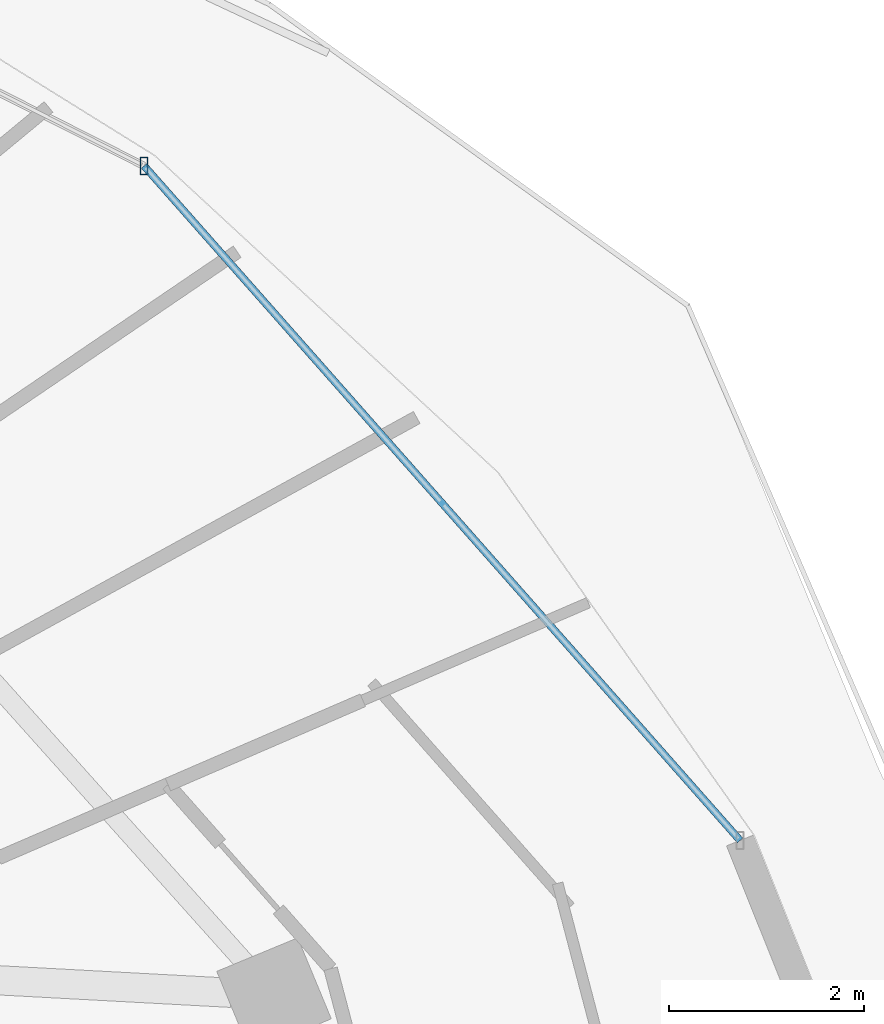
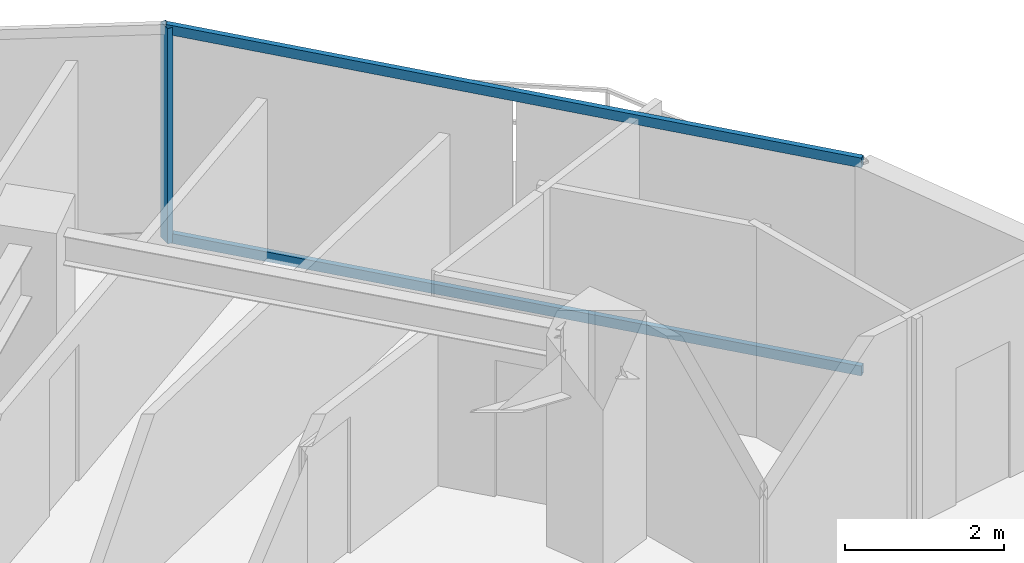
# One storey, part 21 of 33: 3 members, 1 element without a shape of its own.
"""IFC4 building model written with IfcOpenShell, lengths in metres."""

import ifcopenshell
import ifcopenshell.guid

model = None  # the IFC model being written
_history = None  # IfcOwnerHistory: only IFC2X3 demands one
_inside = {}  # id of a spatial element -> (the spatial element, [elements in it])
_under = {}  # id of a project, library or spatial element -> (it, [spatial elements below it])
_declared = {}  # id of a project -> (the project, [libraries it declares])
_typed = {}  # id of a type object -> (the type object, [elements of that type])
_made_of = {}  # id of a material, layer set ... -> (it, [elements and type objects made of it])


def new_model(schema):
    """Start an empty IFC model of exactly this schema.

    Asked for "IFC4X3", IfcOpenShell would pick the latest addendum, in which some entities
    have other attributes; the version numbers below select the first issue.
    IFC2X3 requires an IfcOwnerHistory on every rooted entity: one is made here for all.
    """
    global model, _history
    if schema == "IFC4X3":
        model = ifcopenshell.file(schema_version=(4, 3, 0, 0))
    else:
        model = ifcopenshell.file(schema=schema)
    _inside.clear()
    _under.clear()
    _declared.clear()
    _typed.clear()
    _made_of.clear()
    _history = None
    if model.schema == "IFC2X3":
        org = make("IfcOrganization", Name="unknown")
        user = make(
            "IfcPersonAndOrganization",
            ThePerson=make("IfcPerson", FamilyName="unknown"),
            TheOrganization=org,
        )
        app = make(
            "IfcApplication",
            ApplicationDeveloper=org,
            Version="unknown",
            ApplicationFullName="unknown",
            ApplicationIdentifier="unknown",
        )
        _history = make(
            "IfcOwnerHistory",
            OwningUser=user,
            OwningApplication=app,
            ChangeAction="ADDED",
            CreationDate=0,
        )
    return model


def make(cls, **values):
    """One entity of the class cls with the attributes given. An attribute that is None is left unset."""
    return model.create_entity(
        cls, **{name: value for name, value in values.items() if value is not None}
    )


def rooted(cls, **values):
    """An entity with a GlobalId (a new one), such as an element, a storey or a relation."""
    return make(cls, GlobalId=ifcopenshell.guid.new(), OwnerHistory=_history, **values)


def si_unit(unit_type, name, prefix=None):
    """IfcSIUnit, for example si_unit("LENGTHUNIT", "METRE", prefix="MILLI")."""
    return make("IfcSIUnit", UnitType=unit_type, Prefix=prefix, Name=name)


def assignment(units):
    """IfcUnitAssignment: the units of a project."""
    return None if units is None else make("IfcUnitAssignment", Units=units)


def point(xyz):
    """IfcCartesianPoint."""
    return None if xyz is None else make("IfcCartesianPoint", Coordinates=xyz)


def direction(xyz):
    """IfcDirection."""
    return None if xyz is None else make("IfcDirection", DirectionRatios=xyz)


def frame(location, z_axis=None, x_axis=None):
    """IfcAxis2Placement3D, a coordinate frame: its origin and axes. An axis left out is left unset."""
    return make(
        "IfcAxis2Placement3D",
        Location=point(location),
        Axis=direction(z_axis),
        RefDirection=direction(x_axis),
    )


def frame_2d(location, x_axis=None):
    """IfcAxis2Placement2D, a coordinate frame in the plane: its origin and x axis."""
    return make(
        "IfcAxis2Placement2D", Location=point(location), RefDirection=direction(x_axis)
    )


def origin():
    """The frame at (0, 0, 0) with its axes left unset."""
    return frame((0.0, 0.0, 0.0))


def origin_2d():
    """The frame at (0, 0) in the plane with its x axis left unset."""
    return frame_2d((0.0, 0.0))


def place(relative_to, where):
    """IfcLocalPlacement: puts the frame where relative to a parent placement (None: the world)."""
    return make(
        "IfcLocalPlacement", PlacementRelTo=relative_to, RelativePlacement=where
    )


def context(
    kind, dimensions, precision=None, world=None, true_north=None, identifier=None
):
    """IfcGeometricRepresentationContext, for example the 3D "Model" context."""
    return make(
        "IfcGeometricRepresentationContext",
        ContextIdentifier=identifier,
        ContextType=kind,
        CoordinateSpaceDimension=dimensions,
        Precision=precision,
        WorldCoordinateSystem=world,
        TrueNorth=true_north,
    )


def subcontext(parent, identifier, kind, view, scale=None):
    """IfcGeometricRepresentationSubContext, for example "Body" below "Model"."""
    return make(
        "IfcGeometricRepresentationSubContext",
        ContextIdentifier=identifier,
        ContextType=kind,
        ParentContext=parent,
        TargetScale=scale,
        TargetView=view,
    )


def project(units=None, contexts=None):
    """IfcProject with its units and contexts."""
    return rooted(
        "IfcProject",
        Name="project",
        RepresentationContexts=contexts,
        UnitsInContext=assignment(units),
    )


def spatial(cls, under=None, at=None, **own):
    """A site, building, storey or space (cls), placed at a placement, below another one or the project."""
    s = rooted(cls, ObjectPlacement=at, **own)
    if under is not None:
        _under.setdefault(under.id(), (under, []))[1].append(s)
    return s


def profile(cls, at=None, kind="AREA", **sizes):
    """A parametric profile (cls). Its sizes go by their IFC names, for example OverallWidth=200.0."""
    return make(cls, ProfileType=kind, Position=at, **sizes)


def hollow_rectangle(**sizes):
    """IfcRectangleHollowProfileDef."""
    return profile("IfcRectangleHollowProfileDef", **sizes)


def extrude(swept, where, along, depth):
    """IfcExtrudedAreaSolid: the profile swept, set in the frame where, extruded along a direction by depth."""
    return make(
        "IfcExtrudedAreaSolid",
        SweptArea=swept,
        Position=where,
        ExtrudedDirection=direction(along),
        Depth=depth,
    )


def shape(context_of_items, identifier, shape_type, items):
    """IfcShapeRepresentation: the items that make up one representation, for example the "Body"."""
    return make(
        "IfcShapeRepresentation",
        ContextOfItems=context_of_items,
        RepresentationIdentifier=identifier,
        RepresentationType=shape_type,
        Items=items,
    )


def material(Name=None, Category=None):
    """IfcMaterial."""
    return make("IfcMaterial", Name=Name, Category=Category)


def material_profile(
    of_material, cross_section, Name=None, Category=None, Priority=None
):
    """IfcMaterialProfile: a cross section and its material."""
    return make(
        "IfcMaterialProfile",
        Name=Name,
        Material=of_material,
        Profile=cross_section,
        Priority=Priority,
        Category=Category,
    )


def profile_set(profiles, Name=None, composite=None):
    """IfcMaterialProfileSet."""
    return make(
        "IfcMaterialProfileSet",
        Name=Name,
        MaterialProfiles=profiles,
        CompositeProfile=composite,
    )


def made_of(thing, what):
    """Note that an element or type object is made of a material, layer set ...; save() writes the relation."""
    if what is not None:
        _made_of.setdefault(what.id(), (what, []))[1].append(thing)
    return thing


def type_object(cls, material=None, **own):
    """A type object (cls), such as IfcWallType, which elements share."""
    return made_of(rooted(cls, **own), material)


def element(
    cls,
    number,
    at=None,
    inside=None,
    cuts=None,
    type_object=None,
    material=None,
    context=None,
    identifier="Body",
    shape_type=None,
    held_by="IfcProductDefinitionShape",
    body=None,
    shapes=None,
    **own,
):
    """One element of the class cls, such as IfcWall. Its Tag is "e" and its number.

    at: its placement. inside: the storey or other place that contains it. cuts: it is an
    opening in that element (IfcRelVoidsElement). A single representation is given by context,
    identifier, shape_type and body (its items); several are given by shapes. held_by: the class
    of the entity that holds the representations. save() writes the other relations.
    """
    e = rooted(cls, Tag="e%d" % number, ObjectPlacement=at, **own)
    if body is not None:
        shapes = [shape(context, identifier, shape_type, body)]
    if shapes is not None:
        e.Representation = make(held_by, Representations=shapes)
    if inside is not None:
        _inside.setdefault(inside.id(), (inside, []))[1].append(e)
    if cuts is not None:
        rooted(
            "IfcRelVoidsElement", RelatingBuildingElement=cuts, RelatedOpeningElement=e
        )
    if type_object is not None:
        _typed.setdefault(type_object.id(), (type_object, []))[1].append(e)
    return made_of(e, material)


def aggregate(whole, parts):
    """IfcRelAggregates: a whole, such as a stair, and the parts it consists of."""
    return rooted("IfcRelAggregates", RelatingObject=whole, RelatedObjects=parts)


def save(model, path):
    """Write the relations noted so far, then the file.

    IfcRelAggregates (storeys below a building ...), IfcRelContainedInSpatialStructure (elements
    in a storey), IfcRelDefinesByType, IfcRelAssociatesMaterial and IfcRelDeclares: one each for
    every whole, place, type object, material and project.
    """
    for whole, parts in _under.values():
        aggregate(whole, parts)
    for where, things in _inside.values():
        rooted(
            "IfcRelContainedInSpatialStructure",
            RelatedElements=things,
            RelatingStructure=where,
        )
    for kind, things in _typed.values():
        rooted("IfcRelDefinesByType", RelatedObjects=things, RelatingType=kind)
    for what, things in _made_of.values():
        rooted("IfcRelAssociatesMaterial", RelatedObjects=things, RelatingMaterial=what)
    for by, libraries in _declared.values():
        rooted("IfcRelDeclares", RelatingContext=by, RelatedDefinitions=libraries)
    model.write(path)


model = new_model("IFC4")

# Units and contexts
model_context = context("Model", 3, precision=1e-05, world=origin(), true_north=direction((0.0, 1.0)))
body_context = subcontext(model_context, "Body", "Model", "MODEL_VIEW")
ifc_project = project(units=[si_unit("LENGTHUNIT", "METRE"), si_unit("AREAUNIT", "SQUARE_METRE"), si_unit("VOLUMEUNIT", "CUBIC_METRE"), si_unit("PLANEANGLEUNIT", "RADIAN"), si_unit("MASSUNIT", "GRAM", prefix="KILO")], contexts=[model_context])

# Site, building, storey
site_placement = place(None, origin())
site = spatial("IfcSite", under=ifc_project, at=site_placement, CompositionType="ELEMENT")
building_placement = place(site_placement, origin())
building = spatial("IfcBuilding", under=site, at=building_placement, Name="Vorneva Point Tower", CompositionType="ELEMENT")
storey_placement = place(building_placement, frame((0.0, 0.0, 179.10009765625)))
storey = spatial("IfcBuildingStorey", under=building, at=storey_placement, Name="L48", CompositionType="ELEMENT", Elevation=179.10009765625)

# Curtain wall, members
ifc_material = material(Name="Pale anodised aluminium", Category="aluminium")
curtain_wall_type = type_object("IfcCurtainWallType", Name="CW-RES-SYS", PredefinedType="NOTDEFINED", material=ifc_material)
curtain_wall_placement = place(storey_placement, origin())
curtain_wall = element("IfcCurtainWall", 1, at=curtain_wall_placement, inside=storey, type_object=curtain_wall_type, Name="L48 Unitised Curtain Wall CW-L48-R01", PredefinedType="NOTDEFINED")
ifc_material_profile_1 = material_profile(ifc_material, hollow_rectangle(XDim=0.074951171875, YDim=0.179931640625, WallThickness=0.00390625, at=origin_2d()), Name="AL-MUL 180x75x4")
ifc_profile_set_1 = profile_set([ifc_material_profile_1], Name="Pale anodised aluminium")
member_type_1 = type_object("IfcMemberType", Name="CW-MUL-180", PredefinedType="MULLION", material=ifc_profile_set_1)
member_1_placement = place(storey_placement, frame((57.961669921875, 41.0966796875, -0.0400390625), z_axis=(0.0, 0.0, 1.0), x_axis=(1.0, 0.0, 0.0)))
member_1 = element("IfcMember", 2, at=member_1_placement, type_object=member_type_1, Name="CW-L48-R01 Mullion 02", PredefinedType="MULLION", context=body_context, shape_type="SweptSolid", body=[
    extrude(hollow_rectangle(XDim=0.074951171875, YDim=0.179931640625, WallThickness=0.00390625, at=origin_2d()), origin(), (0.0, 0.0, 1.0), 3.31005859375),
])
ifc_material_profile_2 = material_profile(ifc_material, hollow_rectangle(XDim=0.074951171875, YDim=0.14990234375, WallThickness=0.00390625, at=origin_2d()), Name="AL-TRN 150x75x4")
ifc_profile_set_2 = profile_set([ifc_material_profile_2], Name="Pale anodised aluminium")
member_type_2 = type_object("IfcMemberType", Name="CW-TRN-150", PredefinedType="USERDEFINED", material=ifc_profile_set_2)
member_2_placement = place(storey_placement, frame((64.0810546875, 34.17041015625, 0.02001953125), z_axis=(-0.662106383869, 0.749409858782, 0.0), x_axis=(-0.749409858782, -0.662106383869, 0.0)))
member_2 = element("IfcMember", 3, at=member_2_placement, type_object=member_type_2, Name="CW-L48-R01 Transom 01.1", ObjectType="TRANSOM", PredefinedType="USERDEFINED", context=body_context, shape_type="SweptSolid", body=[
    extrude(hollow_rectangle(XDim=0.074951171875, YDim=0.14990234375, WallThickness=0.00390625, at=origin_2d()), origin(), (0.0, 0.0, 1.0), 9.2421875),
])
member_3_placement = place(storey_placement, frame((64.0810546875, 34.17041015625, 3.219970703125), z_axis=(-0.662106383869, 0.749409858782, 0.0), x_axis=(-0.749409858782, -0.662106383869, 0.0)))
member_3 = element("IfcMember", 4, at=member_3_placement, type_object=member_type_2, Name="CW-L48-R01 Transom 01.2", ObjectType="TRANSOM", PredefinedType="USERDEFINED", context=body_context, shape_type="SweptSolid", body=[
    extrude(hollow_rectangle(XDim=0.074951171875, YDim=0.14990234375, WallThickness=0.00390625, at=origin_2d()), origin(), (0.0, 0.0, 1.0), 9.2421875),
])
aggregate(curtain_wall, [member_1, member_2, member_3])

save(model, "model.ifc")
